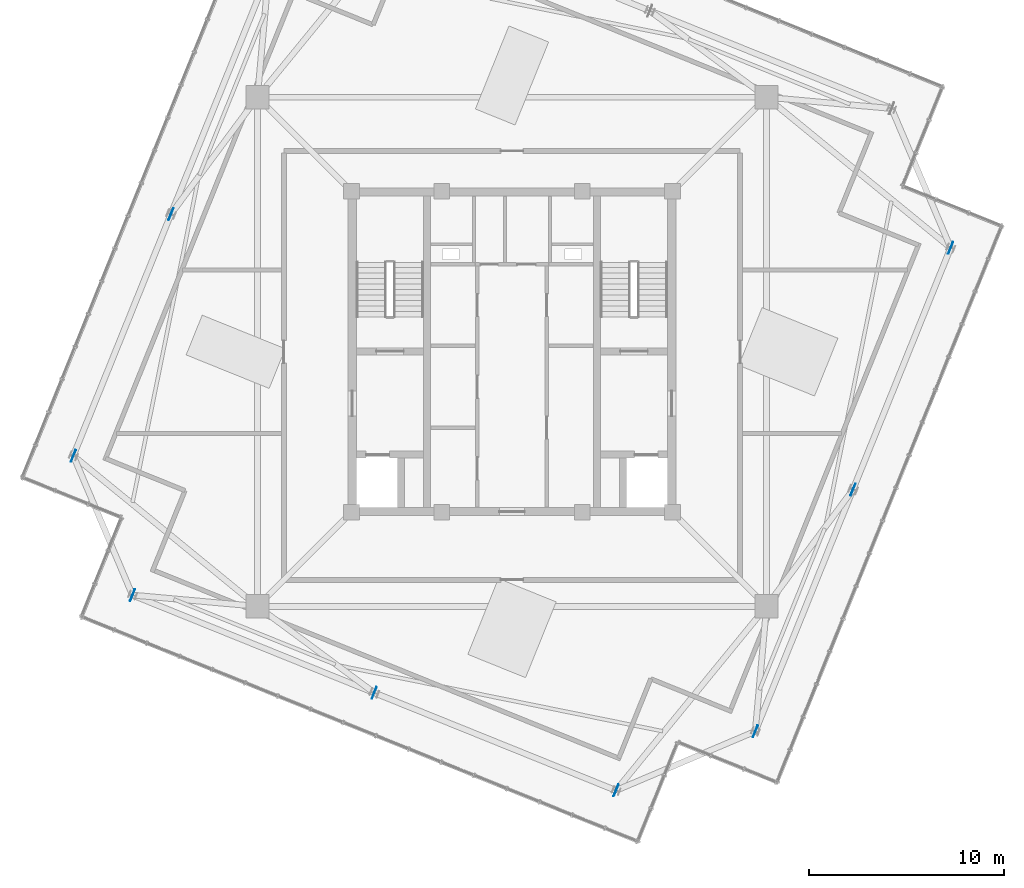
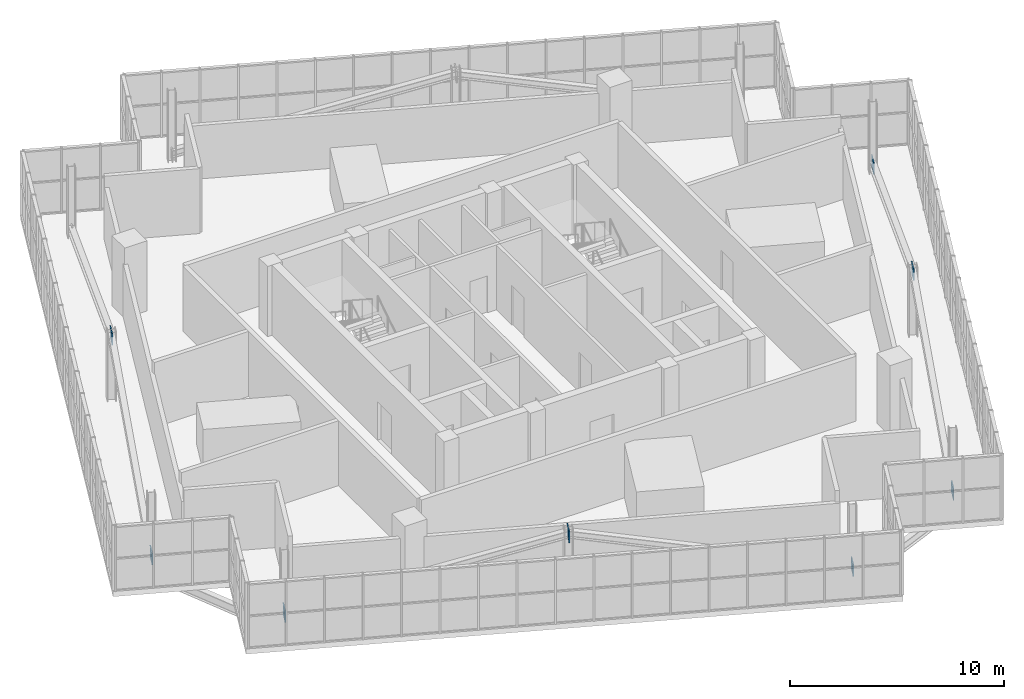
# One storey, part 21 of 26: 8 plates.
"""IFC4 building model written with IfcOpenShell, lengths in metres."""

from ifc_helpers import new_model, si_unit, direction, frame, origin, origin_2d, place, context, subcontext, project, spatial, rectangle, extrude, source, transform, mapped, material, layer, layer_set, type_object, element, save


model = new_model("IFC4")

# Units and contexts
model_context = context("Model", 3, precision=1e-05, world=origin(), true_north=direction((0.0, 1.0)))
body_context = subcontext(model_context, "Body", "Model", "MODEL_VIEW")
ifc_project = project(units=[si_unit("LENGTHUNIT", "METRE"), si_unit("AREAUNIT", "SQUARE_METRE"), si_unit("VOLUMEUNIT", "CUBIC_METRE"), si_unit("PLANEANGLEUNIT", "RADIAN"), si_unit("MASSUNIT", "GRAM", prefix="KILO"), si_unit("THERMODYNAMICTEMPERATUREUNIT", "KELVIN")], contexts=[model_context])

# Site, building, storey
site_placement = place(None, origin())
site = spatial("IfcSite", under=ifc_project, at=site_placement, CompositionType="ELEMENT")
building_placement = place(site_placement, origin())
building = spatial("IfcBuilding", under=site, at=building_placement, Name="Kosmvard Interchange Tower", CompositionType="ELEMENT")
storey_placement = place(building_placement, frame((0.0, 0.0, 337.60009765625)))
storey = spatial("IfcBuildingStorey", under=building, at=storey_placement, Name="L83", CompositionType="ELEMENT", Elevation=337.60009765625)

# Plates
ifc_material = material(Name="Steel S355", Category="steel")
ifc_layer = layer(ifc_material, 0.0380859375, Name="Steel S355")
ifc_layer_set = layer_set([ifc_layer], Name="Steel S355")
plate_type = type_object("IfcPlateType", Name="Lantern Base & Chord End Cap Stiffener 750x750x38 S355", PredefinedType="USERDEFINED", material=ifc_layer_set)
shared_shape = source(origin(), body_context, "Body", "SweptSolid", [
    extrude(rectangle(XDim=0.64990234375, YDim=0.0380859375, at=origin_2d()), origin(), (0.0, 0.0, 1.0), 0.64990234375),
])
for number, where, z_axis, x_axis, name in (
    (1, (12.504150390625, -19.50439453125, 0.094970703125), (0.0, 0.0, 1.0), (0.374606593416, 0.927183854567, 0.0), "L83 Crown Diagrid Node Gusset Plate LAS"),
    (2, (22.54345703125, 5.34423828125, 0.094970703125), (0.0, 0.0, 1.0), (0.374606593416, 0.927183854567, 0.0), "L83 Crown Diagrid Node Gusset Plate LBS"),
    (3, (17.523681640625, -7.080078125, 3.324951171875), (0.0, 0.0, 1.0), (0.374606593416, 0.927183854567, 0.0), "L83 Crown Diagrid Node Gusset Plate LMS"),
    (4, (-22.54345703125, -5.34423828125, 0.094970703125), (0.0, 0.0, 1.0), (0.374606593416, 0.927183854567, 0.0), "L83 Crown Diagrid Node Gusset Plate LBN"),
    (5, (-17.523681640625, 7.080078125, 3.324951171875), (0.0, 0.0, 1.0), (0.374606593416, 0.927183854567, 0.0), "L83 Crown Diagrid Node Gusset Plate LMN"),
    (6, (-19.50439453125, -12.504150390625, 0.094970703125), (0.0, 0.0, 1.0), (0.374606593416, 0.927183854567, 0.0), "L83 Crown Diagrid Node Gusset Plate LAW"),
    (7, (5.34423828125, -22.54345703125, 0.094970703125), (0.0, 0.0, 1.0), (0.374606593416, 0.927183854567, 0.0), "L83 Crown Diagrid Node Gusset Plate LBW"),
    (8, (-7.080078125, -17.523681640625, 3.324951171875), (0.0, 0.0, 1.0), (0.374606593416, 0.927183854567, 0.0), "L83 Crown Diagrid Node Gusset Plate LMW"),
):
    element("IfcPlate", number, at=place(storey_placement, frame(where, z_axis=z_axis, x_axis=x_axis)), inside=storey, type_object=plate_type, Name=name, ObjectType="STIFFENER_PLATE", PredefinedType="USERDEFINED", context=body_context, shape_type="MappedRepresentation", body=[
        mapped(shared_shape, transform((0.0, 0.0, 0.0), scale=1.0)),
    ])

save(model, "model.ifc")
